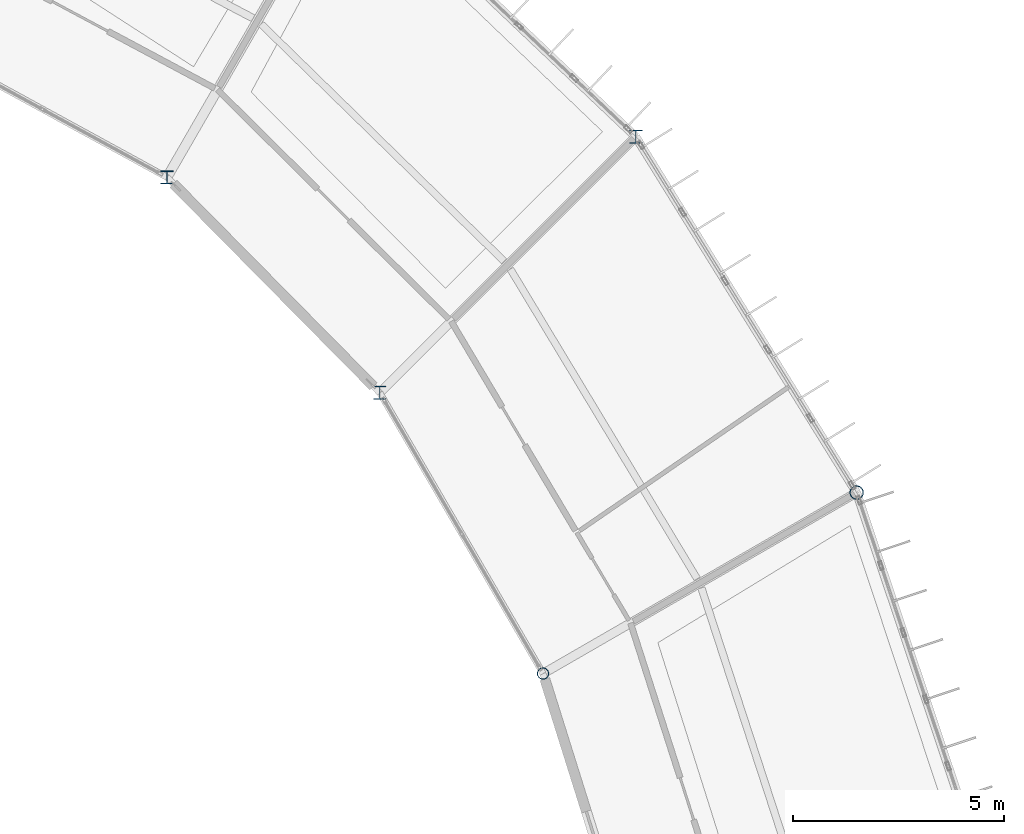
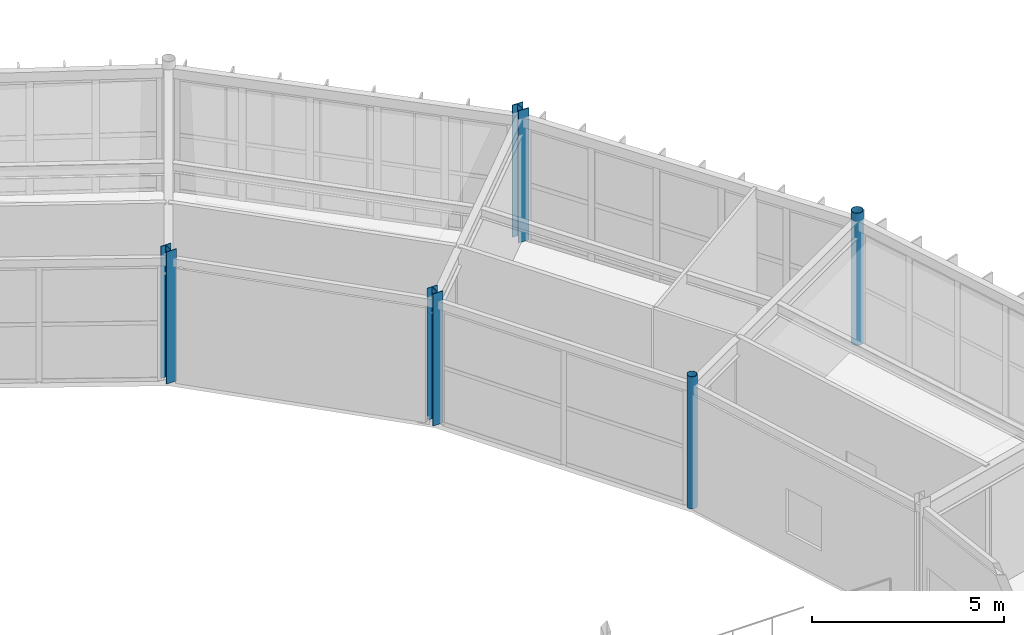
# One storey, part 15 of 148: 5 columns.
"""IFC4 building model written with IfcOpenShell, lengths in metres."""

import ifcopenshell
import ifcopenshell.guid

model = None  # the IFC model being written
_history = None  # IfcOwnerHistory: only IFC2X3 demands one
_inside = {}  # id of a spatial element -> (the spatial element, [elements in it])
_under = {}  # id of a project, library or spatial element -> (it, [spatial elements below it])
_declared = {}  # id of a project -> (the project, [libraries it declares])
_typed = {}  # id of a type object -> (the type object, [elements of that type])
_made_of = {}  # id of a material, layer set ... -> (it, [elements and type objects made of it])


def new_model(schema):
    """Start an empty IFC model of exactly this schema.

    Asked for "IFC4X3", IfcOpenShell would pick the latest addendum, in which some entities
    have other attributes; the version numbers below select the first issue.
    IFC2X3 requires an IfcOwnerHistory on every rooted entity: one is made here for all.
    """
    global model, _history
    if schema == "IFC4X3":
        model = ifcopenshell.file(schema_version=(4, 3, 0, 0))
    else:
        model = ifcopenshell.file(schema=schema)
    _inside.clear()
    _under.clear()
    _declared.clear()
    _typed.clear()
    _made_of.clear()
    _history = None
    if model.schema == "IFC2X3":
        org = make("IfcOrganization", Name="unknown")
        user = make(
            "IfcPersonAndOrganization",
            ThePerson=make("IfcPerson", FamilyName="unknown"),
            TheOrganization=org,
        )
        app = make(
            "IfcApplication",
            ApplicationDeveloper=org,
            Version="unknown",
            ApplicationFullName="unknown",
            ApplicationIdentifier="unknown",
        )
        _history = make(
            "IfcOwnerHistory",
            OwningUser=user,
            OwningApplication=app,
            ChangeAction="ADDED",
            CreationDate=0,
        )
    return model


def make(cls, **values):
    """One entity of the class cls with the attributes given. An attribute that is None is left unset."""
    return model.create_entity(
        cls, **{name: value for name, value in values.items() if value is not None}
    )


def rooted(cls, **values):
    """An entity with a GlobalId (a new one), such as an element, a storey or a relation."""
    return make(cls, GlobalId=ifcopenshell.guid.new(), OwnerHistory=_history, **values)


def si_unit(unit_type, name, prefix=None):
    """IfcSIUnit, for example si_unit("LENGTHUNIT", "METRE", prefix="MILLI")."""
    return make("IfcSIUnit", UnitType=unit_type, Prefix=prefix, Name=name)


def assignment(units):
    """IfcUnitAssignment: the units of a project."""
    return None if units is None else make("IfcUnitAssignment", Units=units)


def point(xyz):
    """IfcCartesianPoint."""
    return None if xyz is None else make("IfcCartesianPoint", Coordinates=xyz)


def direction(xyz):
    """IfcDirection."""
    return None if xyz is None else make("IfcDirection", DirectionRatios=xyz)


def frame(location, z_axis=None, x_axis=None):
    """IfcAxis2Placement3D, a coordinate frame: its origin and axes. An axis left out is left unset."""
    return make(
        "IfcAxis2Placement3D",
        Location=point(location),
        Axis=direction(z_axis),
        RefDirection=direction(x_axis),
    )


def frame_2d(location, x_axis=None):
    """IfcAxis2Placement2D, a coordinate frame in the plane: its origin and x axis."""
    return make(
        "IfcAxis2Placement2D", Location=point(location), RefDirection=direction(x_axis)
    )


def origin():
    """The frame at (0, 0, 0) with its axes left unset."""
    return frame((0.0, 0.0, 0.0))


def origin_2d():
    """The frame at (0, 0) in the plane with its x axis left unset."""
    return frame_2d((0.0, 0.0))


def place(relative_to, where):
    """IfcLocalPlacement: puts the frame where relative to a parent placement (None: the world)."""
    return make(
        "IfcLocalPlacement", PlacementRelTo=relative_to, RelativePlacement=where
    )


def context(
    kind, dimensions, precision=None, world=None, true_north=None, identifier=None
):
    """IfcGeometricRepresentationContext, for example the 3D "Model" context."""
    return make(
        "IfcGeometricRepresentationContext",
        ContextIdentifier=identifier,
        ContextType=kind,
        CoordinateSpaceDimension=dimensions,
        Precision=precision,
        WorldCoordinateSystem=world,
        TrueNorth=true_north,
    )


def subcontext(parent, identifier, kind, view, scale=None):
    """IfcGeometricRepresentationSubContext, for example "Body" below "Model"."""
    return make(
        "IfcGeometricRepresentationSubContext",
        ContextIdentifier=identifier,
        ContextType=kind,
        ParentContext=parent,
        TargetScale=scale,
        TargetView=view,
    )


def project(units=None, contexts=None):
    """IfcProject with its units and contexts."""
    return rooted(
        "IfcProject",
        Name="project",
        RepresentationContexts=contexts,
        UnitsInContext=assignment(units),
    )


def spatial(cls, under=None, at=None, **own):
    """A site, building, storey or space (cls), placed at a placement, below another one or the project."""
    s = rooted(cls, ObjectPlacement=at, **own)
    if under is not None:
        _under.setdefault(under.id(), (under, []))[1].append(s)
    return s


def profile(cls, at=None, kind="AREA", **sizes):
    """A parametric profile (cls). Its sizes go by their IFC names, for example OverallWidth=200.0."""
    return make(cls, ProfileType=kind, Position=at, **sizes)


def hollow_circle(**sizes):
    """IfcCircleHollowProfileDef."""
    return profile("IfcCircleHollowProfileDef", **sizes)


def i_section(**sizes):
    """IfcIShapeProfileDef."""
    return profile("IfcIShapeProfileDef", **sizes)


def extrude(swept, where, along, depth):
    """IfcExtrudedAreaSolid: the profile swept, set in the frame where, extruded along a direction by depth."""
    return make(
        "IfcExtrudedAreaSolid",
        SweptArea=swept,
        Position=where,
        ExtrudedDirection=direction(along),
        Depth=depth,
    )


def shape(context_of_items, identifier, shape_type, items):
    """IfcShapeRepresentation: the items that make up one representation, for example the "Body"."""
    return make(
        "IfcShapeRepresentation",
        ContextOfItems=context_of_items,
        RepresentationIdentifier=identifier,
        RepresentationType=shape_type,
        Items=items,
    )


def material(Name=None, Category=None):
    """IfcMaterial."""
    return make("IfcMaterial", Name=Name, Category=Category)


def material_profile(
    of_material, cross_section, Name=None, Category=None, Priority=None
):
    """IfcMaterialProfile: a cross section and its material."""
    return make(
        "IfcMaterialProfile",
        Name=Name,
        Material=of_material,
        Profile=cross_section,
        Priority=Priority,
        Category=Category,
    )


def profile_set(profiles, Name=None, composite=None):
    """IfcMaterialProfileSet."""
    return make(
        "IfcMaterialProfileSet",
        Name=Name,
        MaterialProfiles=profiles,
        CompositeProfile=composite,
    )


def made_of(thing, what):
    """Note that an element or type object is made of a material, layer set ...; save() writes the relation."""
    if what is not None:
        _made_of.setdefault(what.id(), (what, []))[1].append(thing)
    return thing


def type_object(cls, material=None, **own):
    """A type object (cls), such as IfcWallType, which elements share."""
    return made_of(rooted(cls, **own), material)


def element(
    cls,
    number,
    at=None,
    inside=None,
    cuts=None,
    type_object=None,
    material=None,
    context=None,
    identifier="Body",
    shape_type=None,
    held_by="IfcProductDefinitionShape",
    body=None,
    shapes=None,
    **own,
):
    """One element of the class cls, such as IfcWall. Its Tag is "e" and its number.

    at: its placement. inside: the storey or other place that contains it. cuts: it is an
    opening in that element (IfcRelVoidsElement). A single representation is given by context,
    identifier, shape_type and body (its items); several are given by shapes. held_by: the class
    of the entity that holds the representations. save() writes the other relations.
    """
    e = rooted(cls, Tag="e%d" % number, ObjectPlacement=at, **own)
    if body is not None:
        shapes = [shape(context, identifier, shape_type, body)]
    if shapes is not None:
        e.Representation = make(held_by, Representations=shapes)
    if inside is not None:
        _inside.setdefault(inside.id(), (inside, []))[1].append(e)
    if cuts is not None:
        rooted(
            "IfcRelVoidsElement", RelatingBuildingElement=cuts, RelatedOpeningElement=e
        )
    if type_object is not None:
        _typed.setdefault(type_object.id(), (type_object, []))[1].append(e)
    return made_of(e, material)


def aggregate(whole, parts):
    """IfcRelAggregates: a whole, such as a stair, and the parts it consists of."""
    return rooted("IfcRelAggregates", RelatingObject=whole, RelatedObjects=parts)


def save(model, path):
    """Write the relations noted so far, then the file.

    IfcRelAggregates (storeys below a building ...), IfcRelContainedInSpatialStructure (elements
    in a storey), IfcRelDefinesByType, IfcRelAssociatesMaterial and IfcRelDeclares: one each for
    every whole, place, type object, material and project.
    """
    for whole, parts in _under.values():
        aggregate(whole, parts)
    for where, things in _inside.values():
        rooted(
            "IfcRelContainedInSpatialStructure",
            RelatedElements=things,
            RelatingStructure=where,
        )
    for kind, things in _typed.values():
        rooted("IfcRelDefinesByType", RelatedObjects=things, RelatingType=kind)
    for what, things in _made_of.values():
        rooted("IfcRelAssociatesMaterial", RelatedObjects=things, RelatingMaterial=what)
    for by, libraries in _declared.values():
        rooted("IfcRelDeclares", RelatingContext=by, RelatedDefinitions=libraries)
    model.write(path)


model = new_model("IFC4")

# Units and contexts
model_context = context("Model", 3, precision=1e-05, world=origin(), true_north=direction((0.0, 1.0)))
body_context = subcontext(model_context, "Body", "Model", "MODEL_VIEW")
ifc_project = project(units=[si_unit("LENGTHUNIT", "METRE"), si_unit("AREAUNIT", "SQUARE_METRE"), si_unit("VOLUMEUNIT", "CUBIC_METRE"), si_unit("PLANEANGLEUNIT", "RADIAN"), si_unit("MASSUNIT", "GRAM", prefix="KILO")], contexts=[model_context])

# Site, building, storey
site_placement = place(None, origin())
site = spatial("IfcSite", under=ifc_project, at=site_placement, CompositionType="ELEMENT")
building_placement = place(site_placement, origin())
building = spatial("IfcBuilding", under=site, at=building_placement, Name="Karori Crest Natural Sciences Institute", CompositionType="ELEMENT")
storey_placement = place(building_placement, frame((0.0, 0.0, 4.89990234375)))
storey = spatial("IfcBuildingStorey", under=building, at=storey_placement, Name="L01", CompositionType="ELEMENT", Elevation=4.89990234375)

# Columns
ifc_material_1 = material(Name="Structural steel AS/NZS 3679.1 Grade 350", Category="steel")
ifc_material_profile_1 = material_profile(ifc_material_1, i_section(OverallWidth=0.31103515625, OverallDepth=0.326904296875, WebThickness=0.015625, FlangeThickness=0.02490234375, FilletRadius=0.01708984375, at=origin_2d()), Name="310UC158")
ifc_profile_set_1 = profile_set([ifc_material_profile_1], Name="Structural steel AS/NZS 3679.1 Grade 350")
column_type_1 = type_object("IfcColumnType", Name="CT-04", PredefinedType="COLUMN", material=ifc_profile_set_1)
column_1_placement = place(storey_placement, frame((89.734619140625, 78.75, 0.0), z_axis=(0.0, 0.0, 1.0), x_axis=(1.0, 0.0, 0.0)))
element("IfcColumn", 1, at=column_1_placement, inside=storey, type_object=column_type_1, Name="Column C-0059", PredefinedType="COLUMN", context=body_context, shape_type="SweptSolid", body=[
    extrude(i_section(OverallWidth=0.31103515625, OverallDepth=0.326904296875, WebThickness=0.015625, FlangeThickness=0.02490234375, FilletRadius=0.01708984375, at=origin_2d()), origin(), (0.0, 0.0, 1.0), 4.2001953125),
])
ifc_material_profile_2 = material_profile(ifc_material_1, i_section(OverallWidth=0.306884765625, OverallDepth=0.31494140625, WebThickness=0.011962890625, FlangeThickness=0.018798828125, FilletRadius=0.01708984375, at=origin_2d()), Name="310UC118")
ifc_profile_set_2 = profile_set([ifc_material_profile_2], Name="Structural steel AS/NZS 3679.1 Grade 350")
column_type_2 = type_object("IfcColumnType", Name="CT-05", PredefinedType="COLUMN", material=ifc_profile_set_2)
column_2_placement = place(storey_placement, frame((83.6533203125, 72.668701171875, 0.0), z_axis=(0.0, 0.0, 1.0), x_axis=(1.0, 0.0, 0.0)))
element("IfcColumn", 2, at=column_2_placement, inside=storey, type_object=column_type_2, Name="Column C-0060", PredefinedType="COLUMN", context=body_context, shape_type="SweptSolid", body=[
    extrude(i_section(OverallWidth=0.306884765625, OverallDepth=0.31494140625, WebThickness=0.011962890625, FlangeThickness=0.018798828125, FilletRadius=0.01708984375, at=origin_2d()), origin(), (0.0, 0.0, 1.0), 4.2001953125),
])
ifc_material_2 = material(Name="Hollow structural steel AS/NZS 1163 Grade C350", Category="steel")
ifc_material_profile_3 = material_profile(ifc_material_2, hollow_circle(Radius=0.161865234375, WallThickness=0.0126953125, at=origin_2d()), Name="CHS323.9x12.7")
ifc_profile_set_3 = profile_set([ifc_material_profile_3], Name="Hollow structural steel AS/NZS 1163 Grade C350")
column_type_3 = type_object("IfcColumnType", Name="CT-15", PredefinedType="COLUMN", material=ifc_profile_set_3)
column_3_placement = place(storey_placement, frame((94.978759765625, 70.300048828125, 0.0), z_axis=(0.0, 0.0, 1.0), x_axis=(1.0, 0.0, 0.0)))
element("IfcColumn", 3, at=column_3_placement, inside=storey, type_object=column_type_3, Name="Column C-0041", PredefinedType="COLUMN", context=body_context, shape_type="SweptSolid", body=[
    extrude(hollow_circle(Radius=0.161865234375, WallThickness=0.0126953125, at=origin_2d()), origin(), (0.0, 0.0, 1.0), 4.2001953125),
])
ifc_material_profile_4 = material_profile(ifc_material_2, hollow_circle(Radius=0.136474609375, WallThickness=0.00927734375, at=origin_2d()), Name="CHS273.0x9.3")
ifc_profile_set_4 = profile_set([ifc_material_profile_4], Name="Hollow structural steel AS/NZS 1163 Grade C350")
column_type_4 = type_object("IfcColumnType", Name="CT-16", PredefinedType="COLUMN", material=ifc_profile_set_4)
column_4_placement = place(storey_placement, frame((87.531005859375, 66.0, 0.0), z_axis=(0.0, 0.0, 1.0), x_axis=(1.0, 0.0, 0.0)))
element("IfcColumn", 4, at=column_4_placement, inside=storey, type_object=column_type_4, Name="Column C-0042", PredefinedType="COLUMN", context=body_context, shape_type="SweptSolid", body=[
    extrude(hollow_circle(Radius=0.136474609375, WallThickness=0.00927734375, at=origin_2d()), origin(), (0.0, 0.0, 1.0), 4.2001953125),
])
ifc_material_profile_5 = material_profile(ifc_material_1, i_section(OverallWidth=0.304931640625, OverallDepth=0.30810546875, WebThickness=0.010009765625, FlangeThickness=0.015380859375, FilletRadius=0.01708984375, at=origin_2d()), Name="310UC96.8")
ifc_profile_set_5 = profile_set([ifc_material_profile_5], Name="Structural steel AS/NZS 3679.1 Grade 350")
column_type_5 = type_object("IfcColumnType", Name="CT-25", PredefinedType="COLUMN", material=ifc_profile_set_5)
column_5_placement = place(storey_placement, frame((78.60009765625, 77.785888671875, 0.0), z_axis=(0.0, 0.0, 1.0), x_axis=(1.0, 0.0, 0.0)))
element("IfcColumn", 5, at=column_5_placement, inside=storey, type_object=column_type_5, Name="Column C-0078", PredefinedType="COLUMN", context=body_context, shape_type="SweptSolid", body=[
    extrude(i_section(OverallWidth=0.304931640625, OverallDepth=0.30810546875, WebThickness=0.010009765625, FlangeThickness=0.015380859375, FilletRadius=0.01708984375, at=origin_2d()), origin(), (0.0, 0.0, 1.0), 4.2001953125),
])

save(model, "model.ifc")
